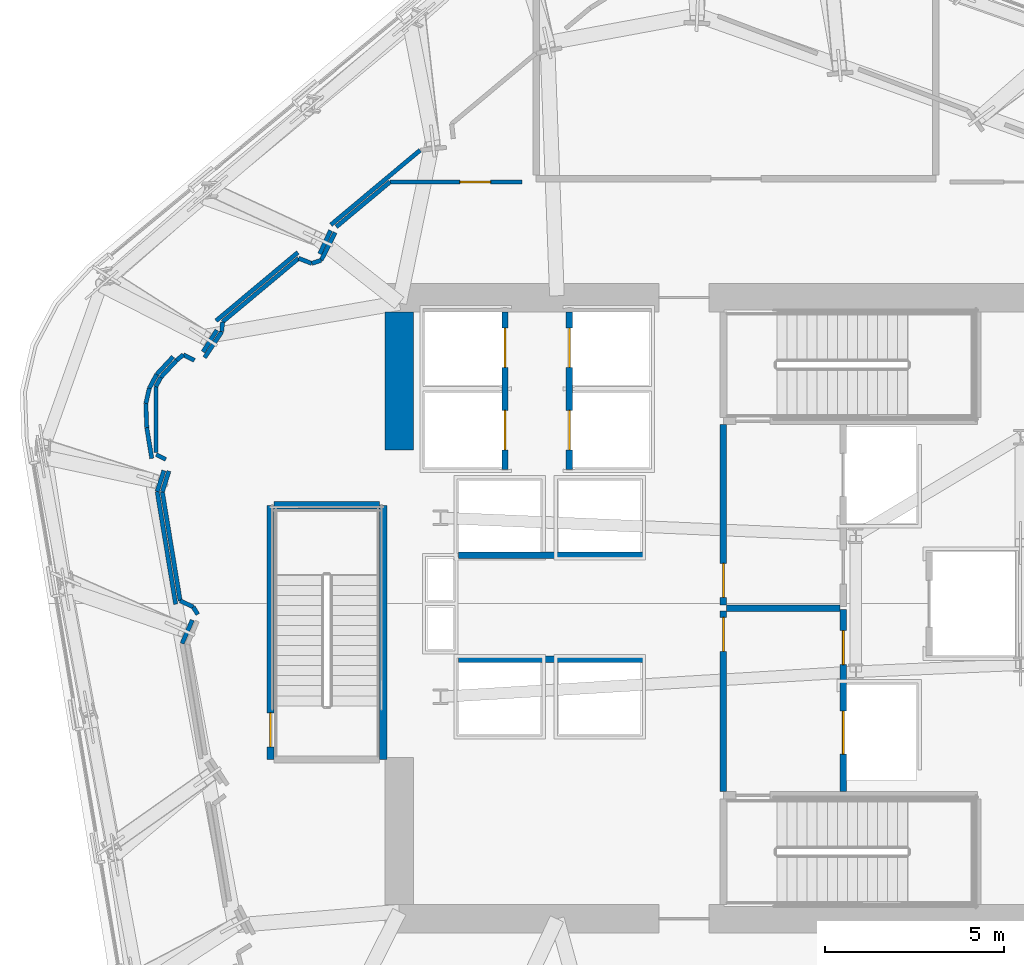
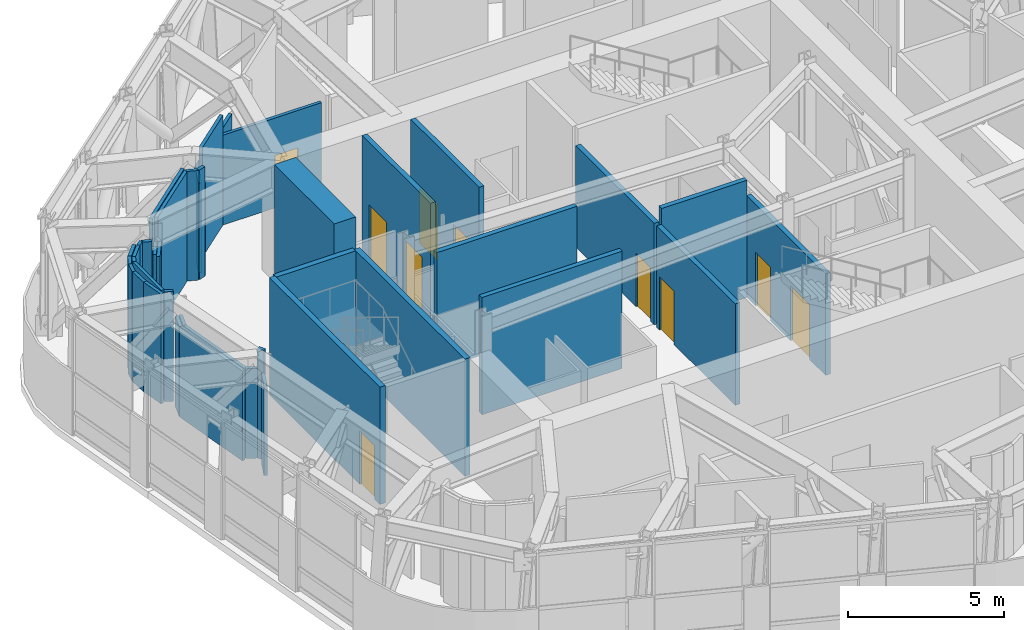
# One storey, part 10 of 16: 42 walls, 10 doors, 10 openings.
"""IFC4 building model written with IfcOpenShell, lengths in metres."""

import ifcopenshell
import ifcopenshell.guid

model = None  # the IFC model being written
_history = None  # IfcOwnerHistory: only IFC2X3 demands one
_inside = {}  # id of a spatial element -> (the spatial element, [elements in it])
_under = {}  # id of a project, library or spatial element -> (it, [spatial elements below it])
_declared = {}  # id of a project -> (the project, [libraries it declares])
_typed = {}  # id of a type object -> (the type object, [elements of that type])
_made_of = {}  # id of a material, layer set ... -> (it, [elements and type objects made of it])


def new_model(schema):
    """Start an empty IFC model of exactly this schema.

    Asked for "IFC4X3", IfcOpenShell would pick the latest addendum, in which some entities
    have other attributes; the version numbers below select the first issue.
    IFC2X3 requires an IfcOwnerHistory on every rooted entity: one is made here for all.
    """
    global model, _history
    if schema == "IFC4X3":
        model = ifcopenshell.file(schema_version=(4, 3, 0, 0))
    else:
        model = ifcopenshell.file(schema=schema)
    _inside.clear()
    _under.clear()
    _declared.clear()
    _typed.clear()
    _made_of.clear()
    _history = None
    if model.schema == "IFC2X3":
        org = make("IfcOrganization", Name="unknown")
        user = make(
            "IfcPersonAndOrganization",
            ThePerson=make("IfcPerson", FamilyName="unknown"),
            TheOrganization=org,
        )
        app = make(
            "IfcApplication",
            ApplicationDeveloper=org,
            Version="unknown",
            ApplicationFullName="unknown",
            ApplicationIdentifier="unknown",
        )
        _history = make(
            "IfcOwnerHistory",
            OwningUser=user,
            OwningApplication=app,
            ChangeAction="ADDED",
            CreationDate=0,
        )
    return model


def make(cls, **values):
    """One entity of the class cls with the attributes given. An attribute that is None is left unset."""
    return model.create_entity(
        cls, **{name: value for name, value in values.items() if value is not None}
    )


def rooted(cls, **values):
    """An entity with a GlobalId (a new one), such as an element, a storey or a relation."""
    return make(cls, GlobalId=ifcopenshell.guid.new(), OwnerHistory=_history, **values)


def si_unit(unit_type, name, prefix=None):
    """IfcSIUnit, for example si_unit("LENGTHUNIT", "METRE", prefix="MILLI")."""
    return make("IfcSIUnit", UnitType=unit_type, Prefix=prefix, Name=name)


def assignment(units):
    """IfcUnitAssignment: the units of a project."""
    return None if units is None else make("IfcUnitAssignment", Units=units)


def point(xyz):
    """IfcCartesianPoint."""
    return None if xyz is None else make("IfcCartesianPoint", Coordinates=xyz)


def direction(xyz):
    """IfcDirection."""
    return None if xyz is None else make("IfcDirection", DirectionRatios=xyz)


def frame(location, z_axis=None, x_axis=None):
    """IfcAxis2Placement3D, a coordinate frame: its origin and axes. An axis left out is left unset."""
    return make(
        "IfcAxis2Placement3D",
        Location=point(location),
        Axis=direction(z_axis),
        RefDirection=direction(x_axis),
    )


def frame_2d(location, x_axis=None):
    """IfcAxis2Placement2D, a coordinate frame in the plane: its origin and x axis."""
    return make(
        "IfcAxis2Placement2D", Location=point(location), RefDirection=direction(x_axis)
    )


def origin():
    """The frame at (0, 0, 0) with its axes left unset."""
    return frame((0.0, 0.0, 0.0))


def place(relative_to, where):
    """IfcLocalPlacement: puts the frame where relative to a parent placement (None: the world)."""
    return make(
        "IfcLocalPlacement", PlacementRelTo=relative_to, RelativePlacement=where
    )


def context(
    kind, dimensions, precision=None, world=None, true_north=None, identifier=None
):
    """IfcGeometricRepresentationContext, for example the 3D "Model" context."""
    return make(
        "IfcGeometricRepresentationContext",
        ContextIdentifier=identifier,
        ContextType=kind,
        CoordinateSpaceDimension=dimensions,
        Precision=precision,
        WorldCoordinateSystem=world,
        TrueNorth=true_north,
    )


def subcontext(parent, identifier, kind, view, scale=None):
    """IfcGeometricRepresentationSubContext, for example "Body" below "Model"."""
    return make(
        "IfcGeometricRepresentationSubContext",
        ContextIdentifier=identifier,
        ContextType=kind,
        ParentContext=parent,
        TargetScale=scale,
        TargetView=view,
    )


def project(units=None, contexts=None):
    """IfcProject with its units and contexts."""
    return rooted(
        "IfcProject",
        Name="project",
        RepresentationContexts=contexts,
        UnitsInContext=assignment(units),
    )


def spatial(cls, under=None, at=None, **own):
    """A site, building, storey or space (cls), placed at a placement, below another one or the project."""
    s = rooted(cls, ObjectPlacement=at, **own)
    if under is not None:
        _under.setdefault(under.id(), (under, []))[1].append(s)
    return s


def profile(cls, at=None, kind="AREA", **sizes):
    """A parametric profile (cls). Its sizes go by their IFC names, for example OverallWidth=200.0."""
    return make(cls, ProfileType=kind, Position=at, **sizes)


def rectangle(**sizes):
    """IfcRectangleProfileDef."""
    return profile("IfcRectangleProfileDef", **sizes)


def extrude(swept, where, along, depth):
    """IfcExtrudedAreaSolid: the profile swept, set in the frame where, extruded along a direction by depth."""
    return make(
        "IfcExtrudedAreaSolid",
        SweptArea=swept,
        Position=where,
        ExtrudedDirection=direction(along),
        Depth=depth,
    )


def shape(context_of_items, identifier, shape_type, items):
    """IfcShapeRepresentation: the items that make up one representation, for example the "Body"."""
    return make(
        "IfcShapeRepresentation",
        ContextOfItems=context_of_items,
        RepresentationIdentifier=identifier,
        RepresentationType=shape_type,
        Items=items,
    )


def material(Name=None, Category=None):
    """IfcMaterial."""
    return make("IfcMaterial", Name=Name, Category=Category)


def layer(
    of_material, thickness, ventilated=None, Name=None, Category=None, Priority=None
):
    """IfcMaterialLayer: one layer of a wall or slab, of a material (None: an air gap)."""
    return make(
        "IfcMaterialLayer",
        Material=of_material,
        LayerThickness=thickness,
        IsVentilated=ventilated,
        Name=Name,
        Category=Category,
        Priority=Priority,
    )


def layer_set(layers, Name=None):
    """IfcMaterialLayerSet."""
    return make("IfcMaterialLayerSet", MaterialLayers=layers, LayerSetName=Name)


def made_of(thing, what):
    """Note that an element or type object is made of a material, layer set ...; save() writes the relation."""
    if what is not None:
        _made_of.setdefault(what.id(), (what, []))[1].append(thing)
    return thing


def type_object(cls, material=None, **own):
    """A type object (cls), such as IfcWallType, which elements share."""
    return made_of(rooted(cls, **own), material)


def element(
    cls,
    number,
    at=None,
    inside=None,
    cuts=None,
    type_object=None,
    material=None,
    context=None,
    identifier="Body",
    shape_type=None,
    held_by="IfcProductDefinitionShape",
    body=None,
    shapes=None,
    **own,
):
    """One element of the class cls, such as IfcWall. Its Tag is "e" and its number.

    at: its placement. inside: the storey or other place that contains it. cuts: it is an
    opening in that element (IfcRelVoidsElement). A single representation is given by context,
    identifier, shape_type and body (its items); several are given by shapes. held_by: the class
    of the entity that holds the representations. save() writes the other relations.
    """
    e = rooted(cls, Tag="e%d" % number, ObjectPlacement=at, **own)
    if body is not None:
        shapes = [shape(context, identifier, shape_type, body)]
    if shapes is not None:
        e.Representation = make(held_by, Representations=shapes)
    if inside is not None:
        _inside.setdefault(inside.id(), (inside, []))[1].append(e)
    if cuts is not None:
        rooted(
            "IfcRelVoidsElement", RelatingBuildingElement=cuts, RelatedOpeningElement=e
        )
    if type_object is not None:
        _typed.setdefault(type_object.id(), (type_object, []))[1].append(e)
    return made_of(e, material)


def fill(opening, filler):
    """IfcRelFillsElement: the door or window that sits in an opening."""
    return rooted(
        "IfcRelFillsElement",
        RelatingOpeningElement=opening,
        RelatedBuildingElement=filler,
    )


def aggregate(whole, parts):
    """IfcRelAggregates: a whole, such as a stair, and the parts it consists of."""
    return rooted("IfcRelAggregates", RelatingObject=whole, RelatedObjects=parts)


def save(model, path):
    """Write the relations noted so far, then the file.

    IfcRelAggregates (storeys below a building ...), IfcRelContainedInSpatialStructure (elements
    in a storey), IfcRelDefinesByType, IfcRelAssociatesMaterial and IfcRelDeclares: one each for
    every whole, place, type object, material and project.
    """
    for whole, parts in _under.values():
        aggregate(whole, parts)
    for where, things in _inside.values():
        rooted(
            "IfcRelContainedInSpatialStructure",
            RelatedElements=things,
            RelatingStructure=where,
        )
    for kind, things in _typed.values():
        rooted("IfcRelDefinesByType", RelatedObjects=things, RelatingType=kind)
    for what, things in _made_of.values():
        rooted("IfcRelAssociatesMaterial", RelatedObjects=things, RelatingMaterial=what)
    for by, libraries in _declared.values():
        rooted("IfcRelDeclares", RelatingContext=by, RelatedDefinitions=libraries)
    model.write(path)


model = new_model("IFC4")

# Units and contexts
model_context = context("Model", 3, precision=1e-05, world=origin(), true_north=direction((0.0, 1.0)))
body_context = subcontext(model_context, "Body", "Model", "MODEL_VIEW")
ifc_project = project(units=[si_unit("LENGTHUNIT", "METRE"), si_unit("AREAUNIT", "SQUARE_METRE"), si_unit("VOLUMEUNIT", "CUBIC_METRE"), si_unit("PLANEANGLEUNIT", "RADIAN"), si_unit("MASSUNIT", "GRAM", prefix="KILO")], contexts=[model_context])

# Site, building, storey
site_placement = place(None, origin())
site = spatial("IfcSite", under=ifc_project, at=site_placement, CompositionType="ELEMENT")
building_placement = place(site_placement, origin())
building = spatial("IfcBuilding", under=site, at=building_placement, Name="Valkerne Bourse Tower", CompositionType="ELEMENT")
storey_placement = place(building_placement, frame((0.0, 0.0, 193.199951171875)))
storey = spatial("IfcBuildingStorey", under=building, at=storey_placement, Name="L49", CompositionType="ELEMENT", Elevation=193.199951171875)

# Walls
ifc_material_1 = material(Name="Concrete C55/67", Category="concrete")
ifc_layer_1 = layer(ifc_material_1, 0.800048828125)
ifc_layer_set_1 = layer_set([ifc_layer_1], Name="Concrete C55/67")
wall_type_1 = type_object("IfcWallType", Name="W-CORE-800", PredefinedType="SHEAR", material=ifc_layer_set_1)
wall_1_placement = place(storey_placement, frame((37.60009765625, 31.300048828125, 0.0), z_axis=(0.0, 0.0, 1.0), x_axis=(0.0, 1.0, 0.0)))
element("IfcWall", 1, at=wall_1_placement, inside=storey, type_object=wall_type_1, Name="L49 Core Shear Wall WEST-N", PredefinedType="SHEAR", context=body_context, shape_type="SweptSolid", body=[
    extrude(rectangle(XDim=3.849853515625, YDim=0.800048828125, at=frame_2d((1.9248046875, 0.0))), origin(), (0.0, 0.0, 1.0), 4.60009765625),
])
ifc_material_2 = material(Name="Gypsum Board Steel-Stud Partition", Category="steel")
ifc_layer_2 = layer(ifc_material_2, 0.117919921875)
ifc_layer_set_2 = layer_set([ifc_layer_2], Name="Gypsum Board Steel-Stud Partition")
wall_type_2 = type_object("IfcWallType", Name="W-CORR-140", PredefinedType="PARTITIONING", material=ifc_layer_set_2)
wall_2_placement = place(storey_placement, frame((31.532470703125, 25.889404296875, 0.0), z_axis=(0.0, 0.0, 1.0), x_axis=(0.399902620485, 0.916557632738, 0.0)))
element("IfcWall", 2, at=wall_2_placement, inside=storey, type_object=wall_type_2, Name="L49 L49 Outrigger Truss Gallery Ring Wall", PredefinedType="PARTITIONING", context=body_context, shape_type="SweptSolid", body=[
    extrude(rectangle(XDim=0.713134765625, YDim=0.117919921875, at=frame_2d((0.3564453125, 0.0))), origin(), (0.0, 0.0, 1.0), 3.523193359375),
])
wall_3_placement = place(storey_placement, frame((31.352783203125, 26.985595703125, 0.0), z_axis=(0.0, 0.0, 1.0), x_axis=(-0.161643066406, 0.986849288941, 0.0)))
element("IfcWall", 3, at=wall_3_placement, inside=storey, type_object=wall_type_2, Name="L49 L49 Outrigger Truss Gallery Ring Wall", PredefinedType="PARTITIONING", context=body_context, shape_type="SweptSolid", body=[
    extrude(rectangle(XDim=3.18994140625, YDim=0.117919921875, at=frame_2d((1.594970703125, 0.0))), origin(), (0.0, 0.0, 1.0), 3.523193359375),
])
wall_4_placement = place(storey_placement, frame((30.837158203125, 30.133544921875, 0.0), z_axis=(0.0, 0.0, 1.0), x_axis=(0.302481694303, 0.9531551944, 0.0)))
element("IfcWall", 4, at=wall_4_placement, inside=storey, type_object=wall_type_2, Name="L49 L49 Outrigger Truss Gallery Ring Wall", PredefinedType="PARTITIONING", context=body_context, shape_type="SweptSolid", body=[
    extrude(rectangle(XDim=0.6142578125, YDim=0.117919921875, at=frame_2d((0.30712890625, 0.0))), origin(), (0.0, 0.0, 1.0), 3.523193359375),
])
wall_5_placement = place(storey_placement, frame((30.68603515625, 31.056884765625, 0.0), z_axis=(0.0, 0.0, 1.0), x_axis=(-0.161810780776, 0.986821803177, 0.0)))
element("IfcWall", 5, at=wall_5_placement, inside=storey, type_object=wall_type_2, Name="L49 L49 Outrigger Truss Gallery Ring Wall", PredefinedType="PARTITIONING", context=body_context, shape_type="SweptSolid", body=[
    extrude(rectangle(XDim=0.8720703125, YDim=0.117919921875, at=frame_2d((0.43603515625, 0.0))), origin(), (0.0, 0.0, 1.0), 4.300048828125),
])
wall_6_placement = place(storey_placement, frame((30.544921875, 31.91748046875, 0.0), z_axis=(0.0, 0.0, 1.0), x_axis=(-0.036464173068, 0.999334960903, 0.0)))
element("IfcWall", 6, at=wall_6_placement, inside=storey, type_object=wall_type_2, Name="L49 L49 Outrigger Truss Gallery Ring Wall", PredefinedType="PARTITIONING", context=body_context, shape_type="SweptSolid", body=[
    extrude(rectangle(XDim=0.67626953125, YDim=0.117919921875, at=frame_2d((0.338134765625, 0.0))), origin(), (0.0, 0.0, 1.0), 4.300048828125),
])
wall_7_placement = place(storey_placement, frame((30.520263671875, 32.59326171875, 0.0), z_axis=(0.0, 0.0, 1.0), x_axis=(0.222976920769, 0.974823723965, 0.0)))
element("IfcWall", 7, at=wall_7_placement, inside=storey, type_object=wall_type_2, Name="L49 L49 Outrigger Truss Gallery Ring Wall", PredefinedType="PARTITIONING", context=body_context, shape_type="SweptSolid", body=[
    extrude(rectangle(XDim=0.435791015625, YDim=0.117919921875, at=frame_2d((0.2177734375, 0.0))), origin(), (0.0, 0.0, 1.0), 4.300048828125),
])
wall_8_placement = place(storey_placement, frame((30.617431640625, 33.01806640625, 0.0), z_axis=(0.0, 0.0, 1.0), x_axis=(0.46814498964, 0.883651667047, 0.0)))
element("IfcWall", 8, at=wall_8_placement, inside=storey, type_object=wall_type_2, Name="L49 L49 Outrigger Truss Gallery Ring Wall", PredefinedType="PARTITIONING", context=body_context, shape_type="SweptSolid", body=[
    extrude(rectangle(XDim=0.43603515625, YDim=0.117919921875, at=frame_2d((0.218017578125, 0.0))), origin(), (0.0, 0.0, 1.0), 4.300048828125),
])
wall_9_placement = place(storey_placement, frame((30.821533203125, 33.4033203125, 0.0), z_axis=(0.0, 0.0, 1.0), x_axis=(0.680644870361, 0.732613513697, 0.0)))
element("IfcWall", 9, at=wall_9_placement, inside=storey, type_object=wall_type_2, Name="L49 L49 Outrigger Truss Gallery Ring Wall", PredefinedType="PARTITIONING", context=body_context, shape_type="SweptSolid", body=[
    extrude(rectangle(XDim=0.676513671875, YDim=0.117919921875, at=frame_2d((0.33837890625, 0.0))), origin(), (0.0, 0.0, 1.0), 4.300048828125),
])
wall_10_placement = place(storey_placement, frame((32.117431640625, 34.0322265625, 0.0), z_axis=(0.0, 0.0, 1.0), x_axis=(0.536809663503, 0.843703375108, 0.0)))
element("IfcWall", 10, at=wall_10_placement, inside=storey, type_object=wall_type_2, Name="L49 L49 Outrigger Truss Gallery Ring Wall", PredefinedType="PARTITIONING", context=body_context, shape_type="SweptSolid", body=[
    extrude(rectangle(XDim=0.719970703125, YDim=0.117919921875, at=frame_2d((0.35986328125, 0.0))), origin(), (0.0, 0.0, 1.0), 3.523193359375),
])
wall_11_placement = place(storey_placement, frame((32.483154296875, 34.903076171875, 0.0), z_axis=(0.0, 0.0, 1.0), x_axis=(0.767184094521, 0.641426975667, 0.0)))
element("IfcWall", 11, at=wall_11_placement, inside=storey, type_object=wall_type_2, Name="L49 L49 Outrigger Truss Gallery Ring Wall", PredefinedType="PARTITIONING", context=body_context, shape_type="SweptSolid", body=[
    extrude(rectangle(XDim=2.97412109375, YDim=0.117919921875, at=frame_2d((1.487060546875, 0.0))), origin(), (0.0, 0.0, 1.0), 4.300048828125),
])
wall_12_placement = place(storey_placement, frame((35.37646484375, 36.7705078125, 0.0), z_axis=(0.0, 0.0, 1.0), x_axis=(0.41987529125, 0.907581808873, 0.0)))
element("IfcWall", 12, at=wall_12_placement, inside=storey, type_object=wall_type_2, Name="L49 L49 Outrigger Truss Gallery Ring Wall", PredefinedType="PARTITIONING", context=body_context, shape_type="SweptSolid", body=[
    extrude(rectangle(XDim=0.7197265625, YDim=0.117919921875, at=frame_2d((0.35986328125, 0.0))), origin(), (0.0, 0.0, 1.0), 3.523193359375),
])
wall_13_placement = place(storey_placement, frame((35.688232421875, 37.582763671875, 0.0), z_axis=(0.0, 0.0, 1.0), x_axis=(0.767246417769, 0.641352426066, 0.0)))
element("IfcWall", 13, at=wall_13_placement, inside=storey, type_object=wall_type_2, Name="L49 L49 Outrigger Truss Gallery Ring Wall", PredefinedType="PARTITIONING", context=body_context, shape_type="SweptSolid", body=[
    extrude(rectangle(XDim=3.246337890625, YDim=0.117919921875, at=frame_2d((1.623046875, 0.0))), origin(), (0.0, 0.0, 1.0), 3.523193359375),
])
wall_14_placement = place(storey_placement, frame((31.968994140625, 26.701416015625, 0.0), z_axis=(0.0, 0.0, 1.0), x_axis=(-0.515531892436, 0.85687039153, 0.0)))
element("IfcWall", 14, at=wall_14_placement, inside=storey, type_object=wall_type_2, Name="L49 Corridor Enclosure Wall", PredefinedType="PARTITIONING", context=body_context, shape_type="SweptSolid", body=[
    extrude(rectangle(XDim=0.242431640625, YDim=0.117919921875, at=frame_2d((0.12109375, 0.0))), origin(), (0.0, 0.0, 1.0), 4.300048828125),
])
wall_15_placement = place(storey_placement, frame((31.843994140625, 26.9091796875, 0.0), z_axis=(0.0, 0.0, 1.0), x_axis=(-0.902481037784, 0.430729586215, 0.0)))
element("IfcWall", 15, at=wall_15_placement, inside=storey, type_object=wall_type_2, Name="L49 Corridor Enclosure Wall", PredefinedType="PARTITIONING", context=body_context, shape_type="SweptSolid", body=[
    extrude(rectangle(XDim=0.40478515625, YDim=0.117919921875, at=frame_2d((0.202392578125, 0.0))), origin(), (0.0, 0.0, 1.0), 3.523193359375),
])
wall_16_placement = place(storey_placement, frame((31.478759765625, 27.08349609375, 0.0), z_axis=(0.0, 0.0, 1.0), x_axis=(-0.161686454852, 0.986842181059, 0.0)))
element("IfcWall", 16, at=wall_16_placement, inside=storey, type_object=wall_type_2, Name="L49 Corridor Enclosure Wall", PredefinedType="PARTITIONING", context=body_context, shape_type="SweptSolid", body=[
    extrude(rectangle(XDim=3.080322265625, YDim=0.117919921875, at=frame_2d((1.5400390625, 0.0))), origin(), (0.0, 0.0, 1.0), 3.523193359375),
])
wall_17_placement = place(storey_placement, frame((30.980712890625, 30.123291015625, 0.0), z_axis=(0.0, 0.0, 1.0), x_axis=(0.300670859572, 0.953727966563, 0.0)))
element("IfcWall", 17, at=wall_17_placement, inside=storey, type_object=wall_type_2, Name="L49 Corridor Enclosure Wall", PredefinedType="PARTITIONING", context=body_context, shape_type="SweptSolid", body=[
    extrude(rectangle(XDim=0.60888671875, YDim=0.117919921875, at=frame_2d((0.304443359375, 0.0))), origin(), (0.0, 0.0, 1.0), 3.523193359375),
])
wall_18_placement = place(storey_placement, frame((31.07568359375, 31.031982421875, 0.0), z_axis=(0.0, 0.0, 1.0), x_axis=(-0.894920621795, 0.446225369837, 0.0)))
element("IfcWall", 18, at=wall_18_placement, inside=storey, type_object=wall_type_2, Name="L49 Corridor Enclosure Wall", PredefinedType="PARTITIONING", context=body_context, shape_type="SweptSolid", body=[
    extrude(rectangle(XDim=0.296630859375, YDim=0.117919921875, at=frame_2d((0.1484375, 0.0))), origin(), (0.0, 0.0, 1.0), 4.300048828125),
])
wall_19_placement = place(storey_placement, frame((30.800048828125, 31.226806640625, 0.0), z_axis=(0.0, 0.0, 1.0), x_axis=(0.0, 1.0, 0.0)))
element("IfcWall", 19, at=wall_19_placement, inside=storey, type_object=wall_type_2, Name="L49 Corridor Enclosure Wall", PredefinedType="PARTITIONING", context=body_context, shape_type="SweptSolid", body=[
    extrude(rectangle(XDim=1.8369140625, YDim=0.117919921875, at=frame_2d((0.91845703125, 0.0))), origin(), (0.0, 0.0, 1.0), 4.300048828125),
])
wall_20_placement = place(storey_placement, frame((30.800048828125, 33.063720703125, 0.0), z_axis=(0.0, 0.0, 1.0), x_axis=(0.467849265992, 0.883808273502, 0.0)))
element("IfcWall", 20, at=wall_20_placement, inside=storey, type_object=wall_type_2, Name="L49 Corridor Enclosure Wall", PredefinedType="PARTITIONING", context=body_context, shape_type="SweptSolid", body=[
    extrude(rectangle(XDim=0.291748046875, YDim=0.117919921875, at=frame_2d((0.14599609375, 0.0))), origin(), (0.0, 0.0, 1.0), 4.300048828125),
])
wall_21_placement = place(storey_placement, frame((30.9365234375, 33.321533203125, 0.0), z_axis=(0.0, 0.0, 1.0), x_axis=(0.680681857621, 0.732579148424, 0.0)))
element("IfcWall", 21, at=wall_21_placement, inside=storey, type_object=wall_type_2, Name="L49 Corridor Enclosure Wall", PredefinedType="PARTITIONING", context=body_context, shape_type="SweptSolid", body=[
    extrude(rectangle(XDim=0.649169921875, YDim=0.117919921875, at=frame_2d((0.32470703125, 0.0))), origin(), (0.0, 0.0, 1.0), 4.300048828125),
])
wall_22_placement = place(storey_placement, frame((31.37841796875, 33.797119140625, 0.0), z_axis=(0.0, 0.0, 1.0), x_axis=(0.767652645987, 0.640866144456, 0.0)))
element("IfcWall", 22, at=wall_22_placement, inside=storey, type_object=wall_type_2, Name="L49 Corridor Enclosure Wall", PredefinedType="PARTITIONING", context=body_context, shape_type="SweptSolid", body=[
    extrude(rectangle(XDim=0.24658203125, YDim=0.117919921875, at=frame_2d((0.123291015625, 0.0))), origin(), (0.0, 0.0, 1.0), 4.300048828125),
])
wall_23_placement = place(storey_placement, frame((31.567626953125, 33.955078125, 0.0), z_axis=(0.0, 0.0, 1.0), x_axis=(0.887297240875, -0.461198012069, 0.0)))
element("IfcWall", 23, at=wall_23_placement, inside=storey, type_object=wall_type_2, Name="L49 Corridor Enclosure Wall", PredefinedType="PARTITIONING", context=body_context, shape_type="SweptSolid", body=[
    extrude(rectangle(XDim=0.347900390625, YDim=0.117919921875, at=frame_2d((0.173828125, 0.0))), origin(), (0.0, 0.0, 1.0), 4.300048828125),
])
wall_24_placement = place(storey_placement, frame((32.1611328125, 33.872802734375, 0.0), z_axis=(0.0, 0.0, 1.0), x_axis=(0.551017458198, 0.834493715232, 0.0)))
element("IfcWall", 24, at=wall_24_placement, inside=storey, type_object=wall_type_2, Name="L49 Corridor Enclosure Wall", PredefinedType="PARTITIONING", context=body_context, shape_type="SweptSolid", body=[
    extrude(rectangle(XDim=0.873291015625, YDim=0.117919921875, at=frame_2d((0.4365234375, 0.0))), origin(), (0.0, 0.0, 1.0), 3.523193359375),
])
wall_25_placement = place(storey_placement, frame((32.642333984375, 34.6015625, 0.0), z_axis=(0.0, 0.0, 1.0), x_axis=(0.067426115052, 0.997724270031, 0.0)))
element("IfcWall", 25, at=wall_25_placement, inside=storey, type_object=wall_type_2, Name="L49 Corridor Enclosure Wall", PredefinedType="PARTITIONING", context=body_context, shape_type="SweptSolid", body=[
    extrude(rectangle(XDim=0.267822265625, YDim=0.117919921875, at=frame_2d((0.1337890625, 0.0))), origin(), (0.0, 0.0, 1.0), 3.523193359375),
])
wall_26_placement = place(storey_placement, frame((32.660400390625, 34.868896484375, 0.0), z_axis=(0.0, 0.0, 1.0), x_axis=(0.767202183742, 0.641405339284, 0.0)))
element("IfcWall", 26, at=wall_26_placement, inside=storey, type_object=wall_type_2, Name="L49 Corridor Enclosure Wall", PredefinedType="PARTITIONING", context=body_context, shape_type="SweptSolid", body=[
    extrude(rectangle(XDim=2.771484375, YDim=0.117919921875, at=frame_2d((1.3857421875, 0.0))), origin(), (0.0, 0.0, 1.0), 4.300048828125),
])
wall_27_placement = place(storey_placement, frame((34.78662109375, 36.646484375, 0.0), z_axis=(0.0, 0.0, 1.0), x_axis=(0.932259342141, -0.361790711586, 0.0)))
element("IfcWall", 27, at=wall_27_placement, inside=storey, type_object=wall_type_2, Name="L49 Corridor Enclosure Wall", PredefinedType="PARTITIONING", context=body_context, shape_type="SweptSolid", body=[
    extrude(rectangle(XDim=0.3955078125, YDim=0.117919921875, at=frame_2d((0.19775390625, 0.0))), origin(), (0.0, 0.0, 1.0), 4.300048828125),
])
wall_28_placement = place(storey_placement, frame((35.1552734375, 36.50341796875, 0.0), z_axis=(0.0, 0.0, 1.0), x_axis=(0.94498607344, 0.327110563883, 0.0)))
element("IfcWall", 28, at=wall_28_placement, inside=storey, type_object=wall_type_2, Name="L49 Corridor Enclosure Wall", PredefinedType="PARTITIONING", context=body_context, shape_type="SweptSolid", body=[
    extrude(rectangle(XDim=0.275390625, YDim=0.117919921875, at=frame_2d((0.1376953125, 0.0))), origin(), (0.0, 0.0, 1.0), 4.300048828125),
])
wall_29_placement = place(storey_placement, frame((35.41552734375, 36.593505859375, 0.0), z_axis=(0.0, 0.0, 1.0), x_axis=(0.451161835508, 0.892442153969, 0.0)))
element("IfcWall", 29, at=wall_29_placement, inside=storey, type_object=wall_type_2, Name="L49 Corridor Enclosure Wall", PredefinedType="PARTITIONING", context=body_context, shape_type="SweptSolid", body=[
    extrude(rectangle(XDim=0.86474609375, YDim=0.117919921875, at=frame_2d((0.432373046875, 0.0))), origin(), (0.0, 0.0, 1.0), 3.523193359375),
])
wall_30_placement = place(storey_placement, frame((35.838623046875, 37.52587890625, 0.0), z_axis=(0.0, 0.0, 1.0), x_axis=(0.767227664591, 0.641374859724, 0.0)))
element("IfcWall", 30, at=wall_30_placement, inside=storey, type_object=wall_type_2, Name="L49 Corridor Enclosure Wall", PredefinedType="PARTITIONING", context=body_context, shape_type="SweptSolid", body=[
    extrude(rectangle(XDim=1.955322265625, YDim=0.117919921875, at=frame_2d((0.9775390625, 0.0))), origin(), (0.0, 0.0, 1.0), 4.300048828125),
])

# Wall, opening, door
wall_31_placement = place(storey_placement, frame((37.3388671875, 38.780029296875, 0.0), z_axis=(0.0, 0.0, 1.0), x_axis=(1.0, 0.0, 0.0)))
wall_31 = element("IfcWall", 31, at=wall_31_placement, inside=storey, type_object=wall_type_2, Name="L49 Corridor Enclosure Wall", PredefinedType="PARTITIONING", context=body_context, shape_type="SweptSolid", body=[
    extrude(rectangle(XDim=3.680908203125, YDim=0.117919921875, at=frame_2d((1.84033203125, 0.0))), origin(), (0.0, 0.0, 1.0), 3.523193359375),
])
opening_1_placement = place(wall_31_placement, frame((1.950439453125, 0.0, 0.0)))
opening_1 = element("IfcOpeningElement", 32, at=opening_1_placement, cuts=wall_31, Name="Opening D-WC-900", PredefinedType="OPENING", context=body_context, shape_type="SweptSolid", body=[
    extrude(rectangle(XDim=0.860107421875, YDim=2.050048828125, at=frame_2d((0.43017578125, 1.02490234375))), frame((0.0, 0.06884765625, 0.0), z_axis=(0.0, -1.0, 0.0), x_axis=(1.0, 0.0, 0.0)), (0.0, 0.0, 1.0), 0.137939453125),
])
ifc_material_3 = material(Name="Architectural White Oak Timber", Category="wood")
door_type_1 = type_object("IfcDoorType", Name="DR-WC-900", OperationType="NOTDEFINED", PredefinedType="DOOR", material=ifc_material_3)
door_1_placement = place(opening_1_placement, origin())
door_1 = element("IfcDoor", 33, at=door_1_placement, inside=storey, type_object=door_type_1, Name="L49 L49 Zone Smoke-Control & BMS Mechanical Plant Room 5 Door", OperationType="SINGLE_SWING_LEFT", OverallHeight=2.050048828125, OverallWidth=0.860107421875, PredefinedType="DOOR", context=body_context, shape_type="SweptSolid", body=[
    extrude(rectangle(XDim=0.860107421875, YDim=2.050048828125, at=frame_2d((0.43017578125, 1.02490234375))), frame((0.0, 0.02490234375, 0.0), z_axis=(0.0, -1.0, 0.0), x_axis=(1.0, 0.0, 0.0)), (0.0, 0.0, 1.0), 0.050048828125),
])
fill(opening_1, door_1)

# Wall
ifc_material_4 = material(Name="Gypsum Fire-Rated Shaftwall", Category="gypsum")
ifc_layer_3 = layer(ifc_material_4, 0.179931640625)
ifc_layer_set_3 = layer_set([ifc_layer_3], Name="Gypsum Fire-Rated Shaftwall")
wall_type_3 = type_object("IfcWallType", Name="W-FSAE-180", PredefinedType="PARTITIONING", material=ifc_layer_set_3)
wall_32_placement = place(storey_placement, frame((46.739990234375, 26.8798828125, 0.0), z_axis=(0.0, 0.0, 1.0), x_axis=(1.0, 0.0, 0.0)))
element("IfcWall", 34, at=wall_32_placement, inside=storey, type_object=wall_type_3, Name="L49 FSAE-1/2 Lobby Dividing Fire Wall", PredefinedType="PARTITIONING", context=body_context, shape_type="SweptSolid", body=[
    extrude(rectangle(XDim=3.169921875, YDim=0.179931640625, at=frame_2d((1.5849609375, 0.0))), origin(), (0.0, 0.0, 1.0), 4.60009765625),
])

# Wall, opening, door
wall_33_placement = place(storey_placement, frame((46.64990234375, 21.75, 0.0), z_axis=(0.0, 0.0, 1.0), x_axis=(0.0, 1.0, 0.0)))
wall_33 = element("IfcWall", 35, at=wall_33_placement, inside=storey, type_object=wall_type_3, Name="L49 FSAE-1 Lobby West Fire Wall", PredefinedType="PARTITIONING", context=body_context, shape_type="SweptSolid", body=[
    extrude(rectangle(XDim=5.050048828125, YDim=0.179931640625, at=frame_2d((2.52490234375, 0.0))), origin(), (0.0, 0.0, 1.0), 3.97802734375),
])
opening_2_placement = place(wall_33_placement, frame((3.919921875, 0.0, 0.0)))
opening_2 = element("IfcOpeningElement", 36, at=opening_2_placement, cuts=wall_33, Name="Opening D-FS-950", PredefinedType="OPENING", context=body_context, shape_type="SweptSolid", body=[
    extrude(rectangle(XDim=0.949951171875, YDim=2.10009765625, at=frame_2d((0.47509765625, 1.050048828125))), frame((0.0, 0.099853515625, 0.0), z_axis=(0.0, -1.0, 0.0), x_axis=(1.0, 0.0, 0.0)), (0.0, 0.0, 1.0), 0.199951171875),
])
ifc_material_5 = material(Name="Galvanised Painted Steel", Category="steel")
door_type_2 = type_object("IfcDoorType", Name="DR-FSAE-950", OperationType="NOTDEFINED", PredefinedType="DOOR", material=ifc_material_5)
door_2_placement = place(opening_2_placement, origin())
door_2 = element("IfcDoor", 37, at=door_2_placement, inside=storey, type_object=door_type_2, Name="L49 FSAE-1 Hall Link Fire Door", OperationType="SINGLE_SWING_RIGHT", OverallHeight=2.10009765625, OverallWidth=0.949951171875, PredefinedType="DOOR", context=body_context, shape_type="SweptSolid", body=[
    extrude(rectangle(XDim=0.949951171875, YDim=2.10009765625, at=frame_2d((0.47509765625, 1.050048828125))), frame((0.0, 0.02490234375, 0.0), z_axis=(0.0, -1.0, 0.0), x_axis=(1.0, 0.0, 0.0)), (0.0, 0.0, 1.0), 0.050048828125),
])
fill(opening_2, door_2)

wall_34_placement = place(storey_placement, frame((46.64990234375, 26.9599609375, 0.0), z_axis=(0.0, 0.0, 1.0), x_axis=(0.0, 1.0, 0.0)))
wall_34 = element("IfcWall", 38, at=wall_34_placement, inside=storey, type_object=wall_type_3, Name="L49 FSAE-2 Lobby West Fire Wall", PredefinedType="PARTITIONING", context=body_context, shape_type="SweptSolid", body=[
    extrude(rectangle(XDim=5.0400390625, YDim=0.179931640625, at=frame_2d((2.52001953125, 0.0))), origin(), (0.0, 0.0, 1.0), 3.97802734375),
])
opening_3_placement = place(wall_34_placement, frame((0.219970703125, 0.0, 0.0)))
opening_3 = element("IfcOpeningElement", 39, at=opening_3_placement, cuts=wall_34, Name="Opening D-FS-950", PredefinedType="OPENING", context=body_context, shape_type="SweptSolid", body=[
    extrude(rectangle(XDim=0.949951171875, YDim=2.10009765625, at=frame_2d((0.47509765625, 1.050048828125))), frame((0.0, 0.099853515625, 0.0), z_axis=(0.0, -1.0, 0.0), x_axis=(1.0, 0.0, 0.0)), (0.0, 0.0, 1.0), 0.199951171875),
])
door_3_placement = place(opening_3_placement, origin())
door_3 = element("IfcDoor", 40, at=door_3_placement, inside=storey, type_object=door_type_2, Name="L49 FSAE-2 Hall Link Fire Door", OperationType="SINGLE_SWING_RIGHT", OverallHeight=2.10009765625, OverallWidth=0.949951171875, PredefinedType="DOOR", context=body_context, shape_type="SweptSolid", body=[
    extrude(rectangle(XDim=0.949951171875, YDim=2.10009765625, at=frame_2d((0.47509765625, 1.050048828125))), frame((0.0, 0.02490234375, 0.0), z_axis=(0.0, -1.0, 0.0), x_axis=(1.0, 0.0, 0.0)), (0.0, 0.0, 1.0), 0.050048828125),
])
fill(opening_3, door_3)

# Wall, openings, doors
wall_35_placement = place(storey_placement, frame((50.0, 21.75, 0.0), z_axis=(0.0, 0.0, 1.0), x_axis=(0.0, 1.0, 0.0)))
wall_35 = element("IfcWall", 41, at=wall_35_placement, inside=storey, type_object=wall_type_3, Name="L49 FSAE-1 Lobby & Shaft Front Wall", PredefinedType="PARTITIONING", context=body_context, shape_type="SweptSolid", body=[
    extrude(rectangle(XDim=5.090087890625, YDim=0.179931640625, at=frame_2d((2.544921875, 0.0))), origin(), (0.0, 0.0, 1.0), 3.97802734375),
])
opening_4_placement = place(wall_35_placement, frame((1.050048828125, 0.0, 0.0)))
opening_4 = element("IfcOpeningElement", 42, at=opening_4_placement, cuts=wall_35, Name="Opening LD-1200", PredefinedType="OPENING", context=body_context, shape_type="SweptSolid", body=[
    extrude(rectangle(XDim=1.199951171875, YDim=2.14990234375, at=frame_2d((0.60009765625, 1.074951171875))), frame((0.0, 0.099853515625, 0.0), z_axis=(0.0, -1.0, 0.0), x_axis=(1.0, 0.0, 0.0)), (0.0, 0.0, 1.0), 0.199951171875),
])
opening_5_placement = place(wall_35_placement, frame((3.550048828125, 0.0, 0.0)))
opening_5 = element("IfcOpeningElement", 43, at=opening_5_placement, cuts=wall_35, Name="Opening D-FS-950", PredefinedType="OPENING", context=body_context, shape_type="SweptSolid", body=[
    extrude(rectangle(XDim=0.949951171875, YDim=2.10009765625, at=frame_2d((0.47509765625, 1.050048828125))), frame((0.0, 0.099853515625, 0.0), z_axis=(0.0, -1.0, 0.0), x_axis=(1.0, 0.0, 0.0)), (0.0, 0.0, 1.0), 0.199951171875),
])
door_4_placement = place(opening_5_placement, origin())
door_4 = element("IfcDoor", 44, at=door_4_placement, inside=storey, type_object=door_type_2, Name="L49 FSAE-1 Lobby Corridor Fire Door", OperationType="SINGLE_SWING_RIGHT", OverallHeight=2.10009765625, OverallWidth=0.949951171875, PredefinedType="DOOR", context=body_context, shape_type="SweptSolid", body=[
    extrude(rectangle(XDim=0.949951171875, YDim=2.10009765625, at=frame_2d((0.47509765625, 1.050048828125))), frame((0.0, 0.02490234375, 0.0), z_axis=(0.0, -1.0, 0.0), x_axis=(1.0, 0.0, 0.0)), (0.0, 0.0, 1.0), 0.050048828125),
])
fill(opening_5, door_4)
ifc_material_6 = material(Name="Stainless Steel AISI 316", Category="steel")
door_type_3 = type_object("IfcDoorType", Name="DR-LIFT-1200", OperationType="DOUBLE_DOOR_SLIDING", PredefinedType="DOOR", material=ifc_material_6)
door_5_placement = place(opening_4_placement, origin())
door_5 = element("IfcDoor", 45, at=door_5_placement, inside=storey, type_object=door_type_3, Name="L49 FSAE-1 Firefighting Lift Landing Door", OperationType="DOUBLE_DOOR_SLIDING", OverallHeight=2.14990234375, OverallWidth=1.199951171875, PredefinedType="DOOR", context=body_context, shape_type="SweptSolid", body=[
    extrude(rectangle(XDim=1.199951171875, YDim=2.14990234375, at=frame_2d((0.60009765625, 1.074951171875))), frame((0.0, 0.02490234375, 0.0), z_axis=(0.0, -1.0, 0.0), x_axis=(1.0, 0.0, 0.0)), (0.0, 0.0, 1.0), 0.050048828125),
])
fill(opening_4, door_5)

ifc_material_7 = material(Name="CMU Blockwork Masonry 200mm", Category="masonry")
ifc_layer_4 = layer(ifc_material_7, 0.179931640625)
ifc_layer_set_4 = layer_set([ifc_layer_4], Name="CMU Blockwork Masonry 200mm")
wall_type_4 = type_object("IfcWallType", Name="W-LFT-180", PredefinedType="SOLIDWALL", material=ifc_layer_set_4)
wall_36_placement = place(storey_placement, frame((40.550048828125, 30.75, 0.0), z_axis=(0.0, 0.0, 1.0), x_axis=(0.0, 1.0, 0.0)))
wall_36 = element("IfcWall", 46, at=wall_36_placement, inside=storey, type_object=wall_type_4, Name="L49 Mid-Zone West Cars Front Wall", PredefinedType="SOLIDWALL", context=body_context, shape_type="SweptSolid", body=[
    extrude(rectangle(XDim=4.39990234375, YDim=0.179931640625, at=frame_2d((2.199951171875, 0.0))), origin(), (0.0, 0.0, 1.0), 4.60009765625),
])
opening_6_placement = place(wall_36_placement, frame((0.550048828125, 0.0, 0.0)))
opening_6 = element("IfcOpeningElement", 47, at=opening_6_placement, cuts=wall_36, Name="Opening LD-1100", PredefinedType="OPENING", context=body_context, shape_type="SweptSolid", body=[
    extrude(rectangle(XDim=1.10009765625, YDim=2.14990234375, at=frame_2d((0.550048828125, 1.074951171875))), frame((0.0, 0.099853515625, 0.0), z_axis=(0.0, -1.0, 0.0), x_axis=(1.0, 0.0, 0.0)), (0.0, 0.0, 1.0), 0.199951171875),
])
opening_7_placement = place(wall_36_placement, frame((2.85009765625, 0.0, 0.0)))
opening_7 = element("IfcOpeningElement", 48, at=opening_7_placement, cuts=wall_36, Name="Opening LD-1100", PredefinedType="OPENING", context=body_context, shape_type="SweptSolid", body=[
    extrude(rectangle(XDim=1.10009765625, YDim=2.14990234375, at=frame_2d((0.550048828125, 1.074951171875))), frame((0.0, 0.099853515625, 0.0), z_axis=(0.0, -1.0, 0.0), x_axis=(1.0, 0.0, 0.0)), (0.0, 0.0, 1.0), 0.199951171875),
])
door_type_4 = type_object("IfcDoorType", Name="DR-LIFT-1100", OperationType="DOUBLE_DOOR_SLIDING", PredefinedType="DOOR", material=ifc_material_6)
door_6_placement = place(opening_6_placement, origin())
door_6 = element("IfcDoor", 49, at=door_6_placement, inside=storey, type_object=door_type_4, Name="L49 Passenger Lift PL-M1 Sliding Landing Door", OperationType="DOUBLE_DOOR_SLIDING", OverallHeight=2.14990234375, OverallWidth=1.10009765625, PredefinedType="DOOR", context=body_context, shape_type="SweptSolid", body=[
    extrude(rectangle(XDim=1.10009765625, YDim=2.14990234375, at=frame_2d((0.550048828125, 1.074951171875))), frame((0.0, 0.02490234375, 0.0), z_axis=(0.0, -1.0, 0.0), x_axis=(1.0, 0.0, 0.0)), (0.0, 0.0, 1.0), 0.050048828125),
])
fill(opening_6, door_6)
door_7_placement = place(opening_7_placement, origin())
door_7 = element("IfcDoor", 50, at=door_7_placement, inside=storey, type_object=door_type_4, Name="L49 Passenger Lift PL-M2 Sliding Landing Door", OperationType="DOUBLE_DOOR_SLIDING", OverallHeight=2.14990234375, OverallWidth=1.10009765625, PredefinedType="DOOR", context=body_context, shape_type="SweptSolid", body=[
    extrude(rectangle(XDim=1.10009765625, YDim=2.14990234375, at=frame_2d((0.550048828125, 1.074951171875))), frame((0.0, 0.02490234375, 0.0), z_axis=(0.0, -1.0, 0.0), x_axis=(1.0, 0.0, 0.0)), (0.0, 0.0, 1.0), 0.050048828125),
])
fill(opening_7, door_7)

wall_37_placement = place(storey_placement, frame((42.35009765625, 30.75, 0.0), z_axis=(0.0, 0.0, 1.0), x_axis=(0.0, 1.0, 0.0)))
wall_37 = element("IfcWall", 51, at=wall_37_placement, inside=storey, type_object=wall_type_4, Name="L49 Mid-Zone East Cars Front Wall", PredefinedType="SOLIDWALL", context=body_context, shape_type="SweptSolid", body=[
    extrude(rectangle(XDim=4.39990234375, YDim=0.179931640625, at=frame_2d((2.199951171875, 0.0))), origin(), (0.0, 0.0, 1.0), 4.60009765625),
])
opening_8_placement = place(wall_37_placement, frame((0.550048828125, 0.0, 0.0)))
opening_8 = element("IfcOpeningElement", 52, at=opening_8_placement, cuts=wall_37, Name="Opening LD-1100", PredefinedType="OPENING", context=body_context, shape_type="SweptSolid", body=[
    extrude(rectangle(XDim=1.10009765625, YDim=2.14990234375, at=frame_2d((0.550048828125, 1.074951171875))), frame((0.0, 0.099853515625, 0.0), z_axis=(0.0, -1.0, 0.0), x_axis=(1.0, 0.0, 0.0)), (0.0, 0.0, 1.0), 0.199951171875),
])
opening_9_placement = place(wall_37_placement, frame((2.85009765625, 0.0, 0.0)))
opening_9 = element("IfcOpeningElement", 53, at=opening_9_placement, cuts=wall_37, Name="Opening LD-1100", PredefinedType="OPENING", context=body_context, shape_type="SweptSolid", body=[
    extrude(rectangle(XDim=1.10009765625, YDim=2.14990234375, at=frame_2d((0.550048828125, 1.074951171875))), frame((0.0, 0.099853515625, 0.0), z_axis=(0.0, -1.0, 0.0), x_axis=(1.0, 0.0, 0.0)), (0.0, 0.0, 1.0), 0.199951171875),
])
door_8_placement = place(opening_8_placement, origin())
door_8 = element("IfcDoor", 54, at=door_8_placement, inside=storey, type_object=door_type_4, Name="L49 Passenger Lift PL-M3 Sliding Landing Door", OperationType="DOUBLE_DOOR_SLIDING", OverallHeight=2.14990234375, OverallWidth=1.10009765625, PredefinedType="DOOR", context=body_context, shape_type="SweptSolid", body=[
    extrude(rectangle(XDim=1.10009765625, YDim=2.14990234375, at=frame_2d((0.550048828125, 1.074951171875))), frame((0.0, 0.02490234375, 0.0), z_axis=(0.0, -1.0, 0.0), x_axis=(1.0, 0.0, 0.0)), (0.0, 0.0, 1.0), 0.050048828125),
])
fill(opening_8, door_8)
door_9_placement = place(opening_9_placement, origin())
door_9 = element("IfcDoor", 55, at=door_9_placement, inside=storey, type_object=door_type_4, Name="L49 Passenger Lift PL-M4 Sliding Landing Door", OperationType="DOUBLE_DOOR_SLIDING", OverallHeight=2.14990234375, OverallWidth=1.10009765625, PredefinedType="DOOR", context=body_context, shape_type="SweptSolid", body=[
    extrude(rectangle(XDim=1.10009765625, YDim=2.14990234375, at=frame_2d((0.550048828125, 1.074951171875))), frame((0.0, 0.02490234375, 0.0), z_axis=(0.0, -1.0, 0.0), x_axis=(1.0, 0.0, 0.0)), (0.0, 0.0, 1.0), 0.050048828125),
])
fill(opening_9, door_9)

# Walls
for number, where, z_axis, x_axis, name in (
    (56, (39.25, 25.449951171875, 0.0), (0.0, 0.0, 1.0), (1.0, 0.0, 0.0), "L49 High-Zone South Cars Front Wall"),
    (57, (39.25, 28.35009765625, 0.0), (0.0, 0.0, 1.0), (1.0, 0.0, 0.0), "L49 High-Zone North Cars Front Wall"),
):
    element("IfcWall", number, at=place(storey_placement, frame(where, z_axis=z_axis, x_axis=x_axis)), inside=storey, type_object=wall_type_4, Name=name, PredefinedType="SOLIDWALL", context=body_context, shape_type="SweptSolid", body=[
        extrude(rectangle(XDim=5.199951171875, YDim=0.179931640625, at=frame_2d((2.60009765625, 0.0))), origin(), (0.0, 0.0, 1.0), 4.60009765625),
    ])

# Wall, opening, door
ifc_material_8 = material(Name="Concrete C40/50", Category="concrete")
ifc_layer_5 = layer(ifc_material_8, 0.199951171875)
ifc_layer_set_5 = layer_set([ifc_layer_5], Name="Concrete C40/50")
wall_type_5 = type_object("IfcWallType", Name="W-SHF-200", PredefinedType="SHEAR", material=ifc_layer_set_5)
wall_38_placement = place(storey_placement, frame((34.0, 22.64990234375, 0.0), z_axis=(0.0, 0.0, 1.0), x_axis=(0.0, 1.0, 0.0)))
wall_38 = element("IfcWall", 58, at=wall_38_placement, inside=storey, type_object=wall_type_5, Name="L49 Exit Stair ST-3 Structural Shaft Wall West", PredefinedType="SHEAR", context=body_context, shape_type="SweptSolid", body=[
    extrude(rectangle(XDim=7.10009765625, YDim=0.199951171875, at=frame_2d((3.550048828125, 0.0))), origin(), (0.0, 0.0, 1.0), 4.60009765625),
])
opening_10_placement = place(wall_38_placement, frame((0.35009765625, 0.0, 0.0)))
opening_10 = element("IfcOpeningElement", 59, at=opening_10_placement, cuts=wall_38, Name="Opening D-ST-950", PredefinedType="OPENING", context=body_context, shape_type="SweptSolid", body=[
    extrude(rectangle(XDim=0.949951171875, YDim=2.10009765625, at=frame_2d((0.47509765625, 1.050048828125))), frame((0.0, 0.10986328125, 0.0), z_axis=(0.0, -1.0, 0.0), x_axis=(1.0, 0.0, 0.0)), (0.0, 0.0, 1.0), 0.219970703125),
])
door_type_5 = type_object("IfcDoorType", Name="DR-STAIR-950", OperationType="NOTDEFINED", PredefinedType="DOOR", material=ifc_material_5)
door_10_placement = place(opening_10_placement, origin())
door_10 = element("IfcDoor", 60, at=door_10_placement, inside=storey, type_object=door_type_5, Name="L49 Exit Stair ST-3 Door", OperationType="SINGLE_SWING_RIGHT", OverallHeight=2.10009765625, OverallWidth=0.949951171875, PredefinedType="DOOR", context=body_context, shape_type="SweptSolid", body=[
    extrude(rectangle(XDim=0.949951171875, YDim=2.10009765625, at=frame_2d((0.47509765625, 1.050048828125))), frame((0.0, 0.02490234375, 0.0), z_axis=(0.0, -1.0, 0.0), x_axis=(1.0, 0.0, 0.0)), (0.0, 0.0, 1.0), 0.050048828125),
])
fill(opening_10, door_10)

# Walls
wall_39_placement = place(storey_placement, frame((34.10009765625, 29.75, 0.0), z_axis=(0.0, 0.0, 1.0), x_axis=(1.0, 0.0, 0.0)))
element("IfcWall", 61, at=wall_39_placement, inside=storey, type_object=wall_type_5, Name="L49 Exit Stair ST-3 Structural Shaft Wall North", PredefinedType="SHEAR", context=body_context, shape_type="SweptSolid", body=[
    extrude(rectangle(XDim=2.949951171875, YDim=0.199951171875, at=frame_2d((1.47509765625, 0.0))), origin(), (0.0, 0.0, 1.0), 4.60009765625),
])
wall_40_placement = place(storey_placement, frame((37.14990234375, 22.64990234375, 0.0), z_axis=(0.0, 0.0, 1.0), x_axis=(0.0, 1.0, 0.0)))
element("IfcWall", 62, at=wall_40_placement, inside=storey, type_object=wall_type_5, Name="L49 Exit Stair ST-3 Structural Shaft Wall East", PredefinedType="SHEAR", context=body_context, shape_type="SweptSolid", body=[
    extrude(rectangle(XDim=7.10009765625, YDim=0.199951171875, at=frame_2d((3.550048828125, 0.0))), origin(), (0.0, 0.0, 1.0), 4.60009765625),
])

save(model, "model.ifc")
